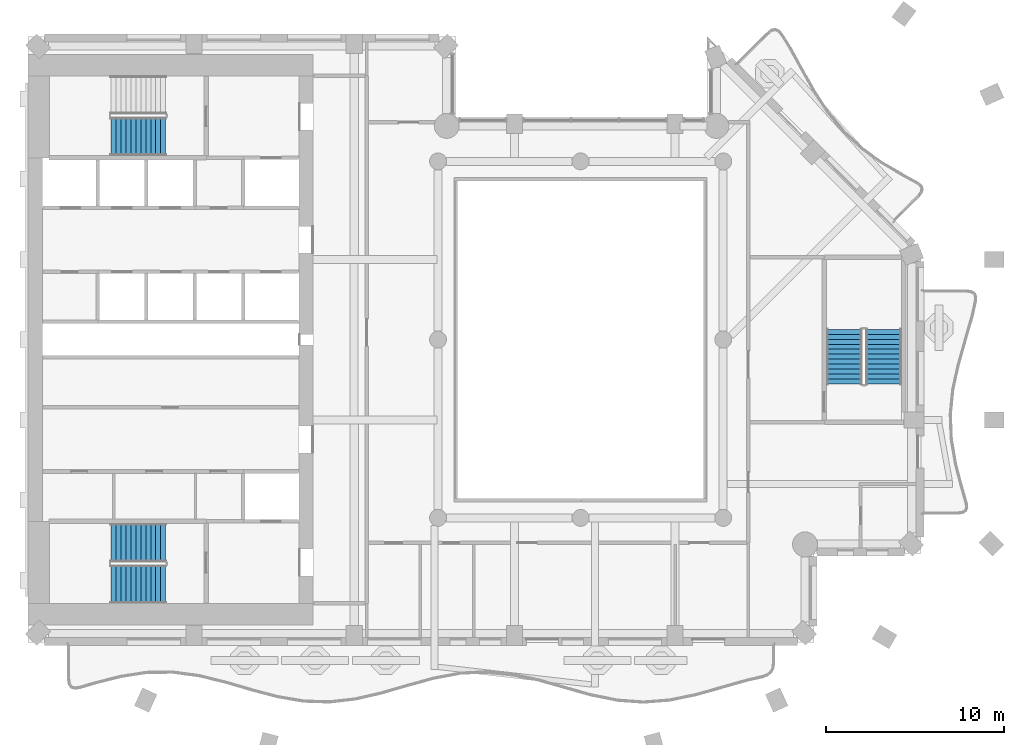
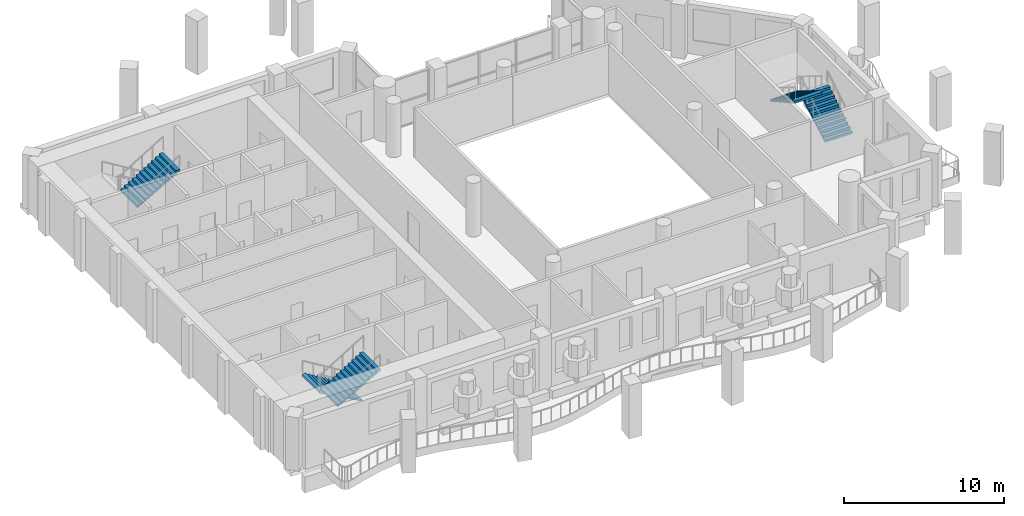
# One storey, part 7 of 14: 5 stair flights, 3 elements without a shape of their own.
"""IFC4 building model written with IfcOpenShell, lengths in metres."""

from ifc_helpers import new_model, si_unit, direction, frame, origin, place, context, subcontext, project, spatial, triangles, material, type_object, element, aggregate, save


model = new_model("IFC4")

# Units and contexts
model_context = context("Model", 3, precision=1e-05, world=origin(), true_north=direction((0.0, 1.0)))
body_context = subcontext(model_context, "Body", "Model", "MODEL_VIEW")
ifc_project = project(units=[si_unit("LENGTHUNIT", "METRE"), si_unit("AREAUNIT", "SQUARE_METRE"), si_unit("VOLUMEUNIT", "CUBIC_METRE"), si_unit("PLANEANGLEUNIT", "RADIAN"), si_unit("MASSUNIT", "GRAM", prefix="KILO")], contexts=[model_context])

# Site, building, storey
site_placement = place(None, origin())
site = spatial("IfcSite", under=ifc_project, at=site_placement, CompositionType="ELEMENT")
building_placement = place(site_placement, origin())
building = spatial("IfcBuilding", under=site, at=building_placement, Name="Cypress Arch Tower", CompositionType="ELEMENT")
storey_placement = place(building_placement, frame((0.0, 0.0, 226.10009765625)))
storey = spatial("IfcBuildingStorey", under=building, at=storey_placement, Name="L50", CompositionType="ELEMENT", Elevation=226.10009765625)

# Stair, stair flights
ifc_material_1 = material(Name="Concrete C40/50", Category="concrete")
stair_type_1 = type_object("IfcStairType", Name="Exit stair ES1708-200", PredefinedType="HALF_TURN_STAIR", material=ifc_material_1)
stair_1_placement = place(storey_placement, origin())
stair_1 = element("IfcStair", 1, at=stair_1_placement, inside=storey, type_object=stair_type_1, Name="L50 Exit stair C", PredefinedType="HALF_TURN_STAIR")
ifc_material_2 = material(Name="Concrete C40/50", Category="concrete")
stair_flight_type_1 = type_object("IfcStairFlightType", Name="Exit stair flight ES1708-200", PredefinedType="STRAIGHT", material=ifc_material_2)
stair_flight_1_placement = place(storey_placement, frame((18.0, -2.5, 0.0), z_axis=(0.0, 0.0, 1.0), x_axis=(0.0, 1.0, 0.0)))
stair_flight_1 = element("IfcStairFlight", 2, at=stair_flight_1_placement, type_object=stair_flight_type_1, Name="C flight 1", NumberOfRisers=12, NumberOfTreads=11, PredefinedType="STRAIGHT", RiserHeight=0.170833333, TreadLength=0.28, context=body_context, shape_type="Tessellation", body=[
    triangles([(0.0, -1.0, 0.0), (0.0, -1.0, 0.1708984375), (0.280029296875, -1.0, 0.1708984375), (0.280029296875, -1.0, 0.341552734375), (0.56005859375, -1.0, 0.341552734375), (0.56005859375, -1.0, 0.512451171875), (0.840087890625, -1.0, 0.512451171875), (0.840087890625, -1.0, 0.683349609375), (1.1201171875, -1.0, 0.683349609375), (1.1201171875, -1.0, 0.854248046875), (1.39990234375, -1.0, 0.854248046875), (1.39990234375, -1.0, 1.02490234375), (1.679931640625, -1.0, 1.02490234375), (1.679931640625, -1.0, 1.19580078125), (1.9599609375, -1.0, 1.19580078125), (1.9599609375, -1.0, 1.36669921875), (2.239990234375, -1.0, 1.36669921875), (2.239990234375, -1.0, 1.53759765625), (2.52001953125, -1.0, 1.53759765625), (2.52001953125, -1.0, 1.708251953125), (2.800048828125, -1.0, 1.708251953125), (2.800048828125, -1.0, 1.879150390625), (3.080078125, -1.0, 1.879150390625), (3.080078125, -1.0, 1.70361328125), (3.080078125, 1.0, 1.70361328125), (3.080078125, 1.0, 1.879150390625), (2.800048828125, 1.0, 1.879150390625), (2.800048828125, 1.0, 1.708251953125), (2.52001953125, 1.0, 1.708251953125), (2.52001953125, 1.0, 1.53759765625), (2.239990234375, 1.0, 1.53759765625), (2.239990234375, 1.0, 1.36669921875), (1.9599609375, 1.0, 1.36669921875), (1.9599609375, 1.0, 1.19580078125), (1.679931640625, 1.0, 1.19580078125), (1.679931640625, 1.0, 1.02490234375), (1.39990234375, 1.0, 1.02490234375), (1.39990234375, 1.0, 0.854248046875), (1.1201171875, 1.0, 0.854248046875), (1.1201171875, 1.0, 0.683349609375), (0.840087890625, 1.0, 0.683349609375), (0.840087890625, 1.0, 0.512451171875), (0.56005859375, 1.0, 0.512451171875), (0.56005859375, 1.0, 0.341552734375), (0.280029296875, 1.0, 0.341552734375), (0.280029296875, 1.0, 0.1708984375), (0.0, 1.0, 0.1708984375), (0.0, 1.0, 0.0), (3.080078125, 0.0, 1.879150390625), (3.080078125, 0.0, 1.70361328125), (2.800048828125, 0.0, 1.879150390625), (2.800048828125, 0.0, 1.708251953125), (2.52001953125, 0.0, 1.708251953125), (2.52001953125, 0.0, 1.53759765625), (2.239990234375, 0.0, 1.53759765625), (2.239990234375, 0.0, 1.36669921875), (1.9599609375, 0.0, 1.36669921875), (1.9599609375, 0.0, 1.19580078125), (1.679931640625, 0.0, 1.19580078125), (1.679931640625, 0.0, 1.02490234375), (1.39990234375, 0.0, 1.02490234375), (1.39990234375, 0.0, 0.854248046875), (1.1201171875, 0.0, 0.854248046875), (1.1201171875, 0.0, 0.683349609375), (0.840087890625, 0.0, 0.683349609375), (0.840087890625, 0.0, 0.512451171875), (0.56005859375, 0.0, 0.512451171875), (0.56005859375, 0.0, 0.341552734375), (0.280029296875, 0.0, 0.341552734375), (0.280029296875, 0.0, 0.1708984375), (0.0, 0.0, 0.1708984375), (0.0, 0.0, 0.0)], [[24, 23, 22], [11, 10, 9], [19, 18, 17], [17, 16, 15], [15, 14, 13], [9, 8, 7], [7, 6, 5], [3, 2, 1], [21, 20, 19], [13, 12, 11], [5, 4, 3], [24, 22, 21], [24, 21, 19], [24, 19, 17], [24, 17, 15], [24, 15, 13], [24, 13, 11], [24, 11, 9], [24, 9, 7], [24, 7, 5], [1, 24, 5], [5, 3, 1], [25, 27, 26], [38, 40, 39], [30, 32, 31], [32, 34, 33], [34, 36, 35], [40, 42, 41], [42, 44, 43], [46, 48, 47], [28, 30, 29], [36, 38, 37], [44, 46, 45], [25, 28, 27], [25, 30, 28], [25, 32, 30], [25, 34, 32], [25, 36, 34], [25, 38, 36], [25, 40, 38], [25, 42, 40], [25, 44, 42], [48, 44, 25], [44, 48, 46], [50, 49, 23], [50, 23, 24], [25, 26, 49], [25, 49, 50], [49, 51, 22], [49, 22, 23], [26, 27, 51], [26, 51, 49], [51, 52, 21], [51, 21, 22], [27, 28, 52], [27, 52, 51], [52, 53, 20], [52, 20, 21], [28, 29, 53], [28, 53, 52], [53, 54, 19], [53, 19, 20], [29, 30, 54], [29, 54, 53], [54, 55, 18], [54, 18, 19], [30, 31, 55], [30, 55, 54], [55, 56, 17], [55, 17, 18], [31, 32, 56], [31, 56, 55], [56, 57, 16], [56, 16, 17], [32, 33, 57], [32, 57, 56], [57, 58, 15], [57, 15, 16], [33, 34, 58], [33, 58, 57], [58, 59, 14], [58, 14, 15], [34, 35, 59], [34, 59, 58], [59, 60, 13], [59, 13, 14], [35, 36, 60], [35, 60, 59], [60, 61, 12], [60, 12, 13], [36, 37, 61], [36, 61, 60], [61, 62, 11], [61, 11, 12], [37, 38, 62], [37, 62, 61], [62, 63, 10], [62, 10, 11], [38, 39, 63], [38, 63, 62], [63, 64, 9], [63, 9, 10], [39, 40, 64], [39, 64, 63], [64, 65, 8], [64, 8, 9], [40, 41, 65], [40, 65, 64], [65, 66, 7], [65, 7, 8], [41, 42, 66], [41, 66, 65], [66, 67, 6], [66, 6, 7], [42, 43, 67], [42, 67, 66], [67, 68, 5], [67, 5, 6], [43, 44, 68], [43, 68, 67], [68, 69, 4], [68, 4, 5], [44, 45, 69], [44, 69, 68], [69, 70, 3], [69, 3, 4], [45, 46, 70], [45, 70, 69], [70, 71, 2], [70, 2, 3], [46, 47, 71], [46, 71, 70], [71, 72, 1], [71, 1, 2], [47, 48, 72], [47, 72, 71], [72, 50, 24], [72, 24, 1], [48, 25, 50], [48, 50, 72]], closed=True),
])
stair_flight_2_placement = place(storey_placement, frame((15.800048828125, 0.580078125, 2.0498046875), z_axis=(0.0, 0.0, 1.0), x_axis=(0.0, -1.0, 0.0)))
stair_flight_2 = element("IfcStairFlight", 3, at=stair_flight_2_placement, type_object=stair_flight_type_1, Name="C flight 2", NumberOfRisers=12, NumberOfTreads=11, PredefinedType="STRAIGHT", RiserHeight=0.170833333, TreadLength=0.28, context=body_context, shape_type="Tessellation", body=[
    triangles([(0.0, -1.0, 0.0), (0.0, -1.0, 0.1708984375), (0.280029296875, -1.0, 0.1708984375), (0.280029296875, -1.0, 0.341552734375), (0.56005859375, -1.0, 0.341552734375), (0.56005859375, -1.0, 0.512451171875), (0.840087890625, -1.0, 0.512451171875), (0.840087890625, -1.0, 0.683349609375), (1.1201171875, -1.0, 0.683349609375), (1.1201171875, -1.0, 0.854248046875), (1.39990234375, -1.0, 0.854248046875), (1.39990234375, -1.0, 1.02490234375), (1.679931640625, -1.0, 1.02490234375), (1.679931640625, -1.0, 1.19580078125), (1.9599609375, -1.0, 1.19580078125), (1.9599609375, -1.0, 1.36669921875), (2.239990234375, -1.0, 1.36669921875), (2.239990234375, -1.0, 1.53759765625), (2.52001953125, -1.0, 1.53759765625), (2.52001953125, -1.0, 1.708251953125), (2.800048828125, -1.0, 1.708251953125), (2.800048828125, -1.0, 1.879150390625), (3.080078125, -1.0, 1.879150390625), (3.080078125, -1.0, 1.70361328125), (3.080078125, 1.0, 1.70361328125), (3.080078125, 1.0, 1.879150390625), (2.800048828125, 1.0, 1.879150390625), (2.800048828125, 1.0, 1.708251953125), (2.52001953125, 1.0, 1.708251953125), (2.52001953125, 1.0, 1.53759765625), (2.239990234375, 1.0, 1.53759765625), (2.239990234375, 1.0, 1.36669921875), (1.9599609375, 1.0, 1.36669921875), (1.9599609375, 1.0, 1.19580078125), (1.679931640625, 1.0, 1.19580078125), (1.679931640625, 1.0, 1.02490234375), (1.39990234375, 1.0, 1.02490234375), (1.39990234375, 1.0, 0.854248046875), (1.1201171875, 1.0, 0.854248046875), (1.1201171875, 1.0, 0.683349609375), (0.840087890625, 1.0, 0.683349609375), (0.840087890625, 1.0, 0.512451171875), (0.56005859375, 1.0, 0.512451171875), (0.56005859375, 1.0, 0.341552734375), (0.280029296875, 1.0, 0.341552734375), (0.280029296875, 1.0, 0.1708984375), (0.0, 1.0, 0.1708984375), (0.0, 1.0, 0.0), (3.080078125, 0.0, 1.879150390625), (3.080078125, 0.0, 1.70361328125), (2.800048828125, 0.0, 1.879150390625), (2.800048828125, 0.0, 1.708251953125), (2.52001953125, 0.0, 1.708251953125), (2.52001953125, 0.0, 1.53759765625), (2.239990234375, 0.0, 1.53759765625), (2.239990234375, 0.0, 1.36669921875), (1.9599609375, 0.0, 1.36669921875), (1.9599609375, 0.0, 1.19580078125), (1.679931640625, 0.0, 1.19580078125), (1.679931640625, 0.0, 1.02490234375), (1.39990234375, 0.0, 1.02490234375), (1.39990234375, 0.0, 0.854248046875), (1.1201171875, 0.0, 0.854248046875), (1.1201171875, 0.0, 0.683349609375), (0.840087890625, 0.0, 0.683349609375), (0.840087890625, 0.0, 0.512451171875), (0.56005859375, 0.0, 0.512451171875), (0.56005859375, 0.0, 0.341552734375), (0.280029296875, 0.0, 0.341552734375), (0.280029296875, 0.0, 0.1708984375), (0.0, 0.0, 0.1708984375), (0.0, 0.0, 0.0)], [[24, 23, 22], [11, 10, 9], [19, 18, 17], [17, 16, 15], [15, 14, 13], [9, 8, 7], [7, 6, 5], [3, 2, 1], [21, 20, 19], [13, 12, 11], [5, 4, 3], [24, 22, 21], [24, 21, 19], [24, 19, 17], [24, 17, 15], [24, 15, 13], [24, 13, 11], [24, 11, 9], [24, 9, 7], [24, 7, 5], [1, 24, 5], [5, 3, 1], [25, 27, 26], [38, 40, 39], [30, 32, 31], [32, 34, 33], [34, 36, 35], [40, 42, 41], [42, 44, 43], [46, 48, 47], [28, 30, 29], [36, 38, 37], [44, 46, 45], [25, 28, 27], [25, 30, 28], [25, 32, 30], [25, 34, 32], [25, 36, 34], [25, 38, 36], [25, 40, 38], [25, 42, 40], [25, 44, 42], [48, 44, 25], [44, 48, 46], [50, 49, 23], [50, 23, 24], [25, 26, 49], [25, 49, 50], [49, 51, 22], [49, 22, 23], [26, 27, 51], [26, 51, 49], [51, 52, 21], [51, 21, 22], [27, 28, 52], [27, 52, 51], [52, 53, 20], [52, 20, 21], [28, 29, 53], [28, 53, 52], [53, 54, 19], [53, 19, 20], [29, 30, 54], [29, 54, 53], [54, 55, 18], [54, 18, 19], [30, 31, 55], [30, 55, 54], [55, 56, 17], [55, 17, 18], [31, 32, 56], [31, 56, 55], [56, 57, 16], [56, 16, 17], [32, 33, 57], [32, 57, 56], [57, 58, 15], [57, 15, 16], [33, 34, 58], [33, 58, 57], [58, 59, 14], [58, 14, 15], [34, 35, 59], [34, 59, 58], [59, 60, 13], [59, 13, 14], [35, 36, 60], [35, 60, 59], [60, 61, 12], [60, 12, 13], [36, 37, 61], [36, 61, 60], [61, 62, 11], [61, 11, 12], [37, 38, 62], [37, 62, 61], [62, 63, 10], [62, 10, 11], [38, 39, 63], [38, 63, 62], [63, 64, 9], [63, 9, 10], [39, 40, 64], [39, 64, 63], [64, 65, 8], [64, 8, 9], [40, 41, 65], [40, 65, 64], [65, 66, 7], [65, 7, 8], [41, 42, 66], [41, 66, 65], [66, 67, 6], [66, 6, 7], [42, 43, 67], [42, 67, 66], [67, 68, 5], [67, 5, 6], [43, 44, 68], [43, 68, 67], [68, 69, 4], [68, 4, 5], [44, 45, 69], [44, 69, 68], [69, 70, 3], [69, 3, 4], [45, 46, 70], [45, 70, 69], [70, 71, 2], [70, 2, 3], [46, 47, 71], [46, 71, 70], [71, 72, 1], [71, 1, 2], [47, 48, 72], [47, 72, 71], [72, 50, 24], [72, 24, 1], [48, 25, 50], [48, 50, 72]], closed=True),
])
aggregate(stair_1, [stair_flight_1, stair_flight_2])

ifc_material_3 = material(Name="Concrete C40/50", Category="concrete")
stair_type_2 = type_object("IfcStairType", Name="Exit stair ES1708-215", PredefinedType="HALF_TURN_STAIR", material=ifc_material_3)
stair_2_placement = place(storey_placement, origin())
stair_2 = element("IfcStair", 4, at=stair_2_placement, inside=storey, type_object=stair_type_2, Name="L50 Exit stair A", PredefinedType="HALF_TURN_STAIR")
ifc_material_4 = material(Name="Concrete C40/50", Category="concrete")
stair_flight_type_2 = type_object("IfcStairFlightType", Name="Exit stair flight ES1708-215", PredefinedType="STRAIGHT", material=ifc_material_4)
stair_flight_3_placement = place(storey_placement, frame((-22.27490234375, -11.39990234375, 0.0), z_axis=(0.0, 0.0, 1.0), x_axis=(-1.0, 0.0, 0.0)))
stair_flight_3 = element("IfcStairFlight", 5, at=stair_flight_3_placement, type_object=stair_flight_type_2, Name="A flight 1", NumberOfRisers=12, NumberOfTreads=11, PredefinedType="STRAIGHT", RiserHeight=0.170833333, TreadLength=0.28, context=body_context, shape_type="Tessellation", body=[
    triangles([(0.0, -1.074951171875, 0.0), (0.000244140625, -1.074951171875, 0.01904296875), (0.000244140625, -1.074951171875, 0.0380859375), (0.00048828125, -1.074951171875, 0.056884765625), (0.00048828125, -1.074951171875, 0.075927734375), (0.00048828125, -1.074951171875, 0.094970703125), (0.00048828125, -1.074951171875, 0.114013671875), (0.000244140625, -1.074951171875, 0.1328125), (0.000244140625, -1.074951171875, 0.15185546875), (0.0, -1.074951171875, 0.1708984375), (0.280029296875, -1.074951171875, 0.1708984375), (0.280029296875, -1.074951171875, 0.341552734375), (0.56005859375, -1.074951171875, 0.341552734375), (0.56005859375, -1.074951171875, 0.512451171875), (0.840087890625, -1.074951171875, 0.512451171875), (0.840087890625, -1.074951171875, 0.683349609375), (1.1201171875, -1.074951171875, 0.683349609375), (1.1201171875, -1.074951171875, 0.854248046875), (1.39990234375, -1.074951171875, 0.854248046875), (1.39990234375, -1.074951171875, 1.02490234375), (1.679931640625, -1.074951171875, 1.02490234375), (1.679931640625, -1.074951171875, 1.19580078125), (1.9599609375, -1.074951171875, 1.19580078125), (1.9599609375, -1.074951171875, 1.36669921875), (2.239990234375, -1.074951171875, 1.36669921875), (2.239990234375, -1.074951171875, 1.53759765625), (2.52001953125, -1.074951171875, 1.53759765625), (2.52001953125, -1.074951171875, 1.708251953125), (2.800048828125, -1.074951171875, 1.708251953125), (2.800048828125, -1.074951171875, 1.879150390625), (3.080078125, -1.074951171875, 1.879150390625), (3.079833984375, -1.074951171875, 1.859619140625), (3.079833984375, -1.074951171875, 1.840087890625), (3.07958984375, -1.074951171875, 1.820556640625), (3.07958984375, -1.074951171875, 1.801025390625), (3.07958984375, -1.074951171875, 1.78173828125), (3.07958984375, -1.074951171875, 1.76220703125), (3.079833984375, -1.074951171875, 1.74267578125), (3.079833984375, -1.074951171875, 1.72314453125), (3.080078125, -1.074951171875, 1.70361328125), (3.080078125, 1.074951171875, 1.70361328125), (3.079833984375, 1.074951171875, 1.72314453125), (3.079833984375, 1.074951171875, 1.74267578125), (3.07958984375, 1.074951171875, 1.76220703125), (3.07958984375, 1.074951171875, 1.78173828125), (3.07958984375, 1.074951171875, 1.801025390625), (3.07958984375, 1.074951171875, 1.820556640625), (3.079833984375, 1.074951171875, 1.840087890625), (3.079833984375, 1.074951171875, 1.859619140625), (3.080078125, 1.074951171875, 1.879150390625), (2.800048828125, 1.074951171875, 1.879150390625), (2.800048828125, 1.074951171875, 1.708251953125), (2.52001953125, 1.074951171875, 1.708251953125), (2.52001953125, 1.074951171875, 1.53759765625), (2.239990234375, 1.074951171875, 1.53759765625), (2.239990234375, 1.074951171875, 1.36669921875), (1.9599609375, 1.074951171875, 1.36669921875), (1.9599609375, 1.074951171875, 1.19580078125), (1.679931640625, 1.074951171875, 1.19580078125), (1.679931640625, 1.074951171875, 1.02490234375), (1.39990234375, 1.074951171875, 1.02490234375), (1.39990234375, 1.074951171875, 0.854248046875), (1.1201171875, 1.074951171875, 0.854248046875), (1.1201171875, 1.074951171875, 0.683349609375), (0.840087890625, 1.074951171875, 0.683349609375), (0.840087890625, 1.074951171875, 0.512451171875), (0.56005859375, 1.074951171875, 0.512451171875), (0.56005859375, 1.074951171875, 0.341552734375), (0.280029296875, 1.074951171875, 0.341552734375), (0.280029296875, 1.074951171875, 0.1708984375), (0.0, 1.074951171875, 0.1708984375), (0.000244140625, 1.074951171875, 0.15185546875), (0.000244140625, 1.074951171875, 0.1328125), (0.00048828125, 1.074951171875, 0.114013671875), (0.00048828125, 1.074951171875, 0.094970703125), (0.00048828125, 1.074951171875, 0.075927734375), (0.00048828125, 1.074951171875, 0.056884765625), (0.000244140625, 1.074951171875, 0.0380859375), (0.000244140625, 1.074951171875, 0.01904296875), (0.0, 1.074951171875, 0.0)], [[40, 39, 30], [39, 38, 30], [38, 37, 30], [37, 36, 30], [36, 35, 30], [35, 34, 30], [34, 33, 30], [33, 32, 30], [32, 31, 30], [19, 18, 17], [27, 26, 25], [25, 24, 23], [23, 22, 21], [17, 16, 15], [15, 14, 13], [10, 9, 11], [9, 8, 11], [8, 7, 11], [7, 6, 11], [6, 5, 11], [5, 4, 11], [4, 3, 11], [3, 2, 11], [2, 1, 11], [29, 28, 27], [21, 20, 19], [13, 12, 11], [40, 30, 29], [40, 29, 27], [40, 27, 25], [40, 25, 23], [40, 23, 21], [40, 21, 19], [40, 19, 17], [40, 17, 15], [40, 15, 13], [1, 40, 13], [13, 11, 1], [41, 51, 42], [42, 51, 43], [43, 51, 44], [44, 51, 45], [45, 51, 46], [46, 51, 47], [47, 51, 48], [48, 51, 49], [49, 51, 50], [62, 64, 63], [54, 56, 55], [56, 58, 57], [58, 60, 59], [64, 66, 65], [66, 68, 67], [71, 70, 72], [72, 70, 73], [73, 70, 74], [74, 70, 75], [75, 70, 76], [76, 70, 77], [77, 70, 78], [78, 70, 79], [79, 70, 80], [52, 54, 53], [60, 62, 61], [68, 70, 69], [41, 52, 51], [41, 54, 52], [41, 56, 54], [41, 58, 56], [41, 60, 58], [41, 62, 60], [41, 64, 62], [41, 66, 64], [41, 68, 66], [80, 68, 41], [68, 80, 70], [41, 42, 39], [41, 39, 40], [42, 43, 38], [42, 38, 39], [43, 44, 37], [43, 37, 38], [44, 45, 36], [44, 36, 37], [45, 46, 35], [45, 35, 36], [46, 47, 34], [46, 34, 35], [47, 48, 33], [47, 33, 34], [48, 49, 32], [48, 32, 33], [49, 50, 31], [49, 31, 32], [50, 51, 30], [50, 30, 31], [51, 52, 29], [51, 29, 30], [52, 53, 28], [52, 28, 29], [53, 54, 27], [53, 27, 28], [54, 55, 26], [54, 26, 27], [55, 56, 25], [55, 25, 26], [56, 57, 24], [56, 24, 25], [57, 58, 23], [57, 23, 24], [58, 59, 22], [58, 22, 23], [59, 60, 21], [59, 21, 22], [60, 61, 20], [60, 20, 21], [61, 62, 19], [61, 19, 20], [62, 63, 18], [62, 18, 19], [63, 64, 17], [63, 17, 18], [64, 65, 16], [64, 16, 17], [65, 66, 15], [65, 15, 16], [66, 67, 14], [66, 14, 15], [67, 68, 13], [67, 13, 14], [68, 69, 12], [68, 12, 13], [69, 70, 11], [69, 11, 12], [70, 71, 10], [70, 10, 11], [71, 72, 9], [71, 9, 10], [72, 73, 8], [72, 8, 9], [73, 74, 7], [73, 7, 8], [74, 75, 6], [74, 6, 7], [75, 76, 5], [75, 5, 6], [76, 77, 4], [76, 4, 5], [77, 78, 3], [77, 3, 4], [78, 79, 2], [78, 2, 3], [79, 80, 1], [79, 1, 2], [80, 41, 40], [80, 40, 1]], closed=True),
])
stair_flight_4_placement = place(storey_placement, frame((-25.35498046875, -13.72509765625, 2.0498046875), z_axis=(0.0, 0.0, 1.0), x_axis=(1.0, 0.0, 0.0)))
stair_flight_4 = element("IfcStairFlight", 6, at=stair_flight_4_placement, type_object=stair_flight_type_2, Name="A flight 2", NumberOfRisers=12, NumberOfTreads=11, PredefinedType="STRAIGHT", RiserHeight=0.170833333, TreadLength=0.28, context=body_context, shape_type="Tessellation", body=[
    triangles([(0.0, -1.074951171875, 0.0), (0.000244140625, -1.074951171875, 0.01904296875), (0.000244140625, -1.074951171875, 0.0380859375), (0.00048828125, -1.074951171875, 0.056884765625), (0.00048828125, -1.074951171875, 0.075927734375), (0.00048828125, -1.074951171875, 0.094970703125), (0.00048828125, -1.074951171875, 0.114013671875), (0.000244140625, -1.074951171875, 0.1328125), (0.000244140625, -1.074951171875, 0.15185546875), (0.0, -1.074951171875, 0.1708984375), (0.280029296875, -1.074951171875, 0.1708984375), (0.280029296875, -1.074951171875, 0.341552734375), (0.56005859375, -1.074951171875, 0.341552734375), (0.56005859375, -1.074951171875, 0.512451171875), (0.840087890625, -1.074951171875, 0.512451171875), (0.840087890625, -1.074951171875, 0.683349609375), (1.1201171875, -1.074951171875, 0.683349609375), (1.1201171875, -1.074951171875, 0.854248046875), (1.39990234375, -1.074951171875, 0.854248046875), (1.39990234375, -1.074951171875, 1.02490234375), (1.679931640625, -1.074951171875, 1.02490234375), (1.679931640625, -1.074951171875, 1.19580078125), (1.9599609375, -1.074951171875, 1.19580078125), (1.9599609375, -1.074951171875, 1.36669921875), (2.239990234375, -1.074951171875, 1.36669921875), (2.239990234375, -1.074951171875, 1.53759765625), (2.52001953125, -1.074951171875, 1.53759765625), (2.52001953125, -1.074951171875, 1.708251953125), (2.800048828125, -1.074951171875, 1.708251953125), (2.800048828125, -1.074951171875, 1.879150390625), (3.080078125, -1.074951171875, 1.879150390625), (3.079833984375, -1.074951171875, 1.859619140625), (3.079833984375, -1.074951171875, 1.840087890625), (3.07958984375, -1.074951171875, 1.820556640625), (3.07958984375, -1.074951171875, 1.801025390625), (3.07958984375, -1.074951171875, 1.78173828125), (3.07958984375, -1.074951171875, 1.76220703125), (3.079833984375, -1.074951171875, 1.74267578125), (3.079833984375, -1.074951171875, 1.72314453125), (3.080078125, -1.074951171875, 1.70361328125), (3.080078125, 1.074951171875, 1.70361328125), (3.079833984375, 1.074951171875, 1.72314453125), (3.079833984375, 1.074951171875, 1.74267578125), (3.07958984375, 1.074951171875, 1.76220703125), (3.07958984375, 1.074951171875, 1.78173828125), (3.07958984375, 1.074951171875, 1.801025390625), (3.07958984375, 1.074951171875, 1.820556640625), (3.079833984375, 1.074951171875, 1.840087890625), (3.079833984375, 1.074951171875, 1.859619140625), (3.080078125, 1.074951171875, 1.879150390625), (2.800048828125, 1.074951171875, 1.879150390625), (2.800048828125, 1.074951171875, 1.708251953125), (2.52001953125, 1.074951171875, 1.708251953125), (2.52001953125, 1.074951171875, 1.53759765625), (2.239990234375, 1.074951171875, 1.53759765625), (2.239990234375, 1.074951171875, 1.36669921875), (1.9599609375, 1.074951171875, 1.36669921875), (1.9599609375, 1.074951171875, 1.19580078125), (1.679931640625, 1.074951171875, 1.19580078125), (1.679931640625, 1.074951171875, 1.02490234375), (1.39990234375, 1.074951171875, 1.02490234375), (1.39990234375, 1.074951171875, 0.854248046875), (1.1201171875, 1.074951171875, 0.854248046875), (1.1201171875, 1.074951171875, 0.683349609375), (0.840087890625, 1.074951171875, 0.683349609375), (0.840087890625, 1.074951171875, 0.512451171875), (0.56005859375, 1.074951171875, 0.512451171875), (0.56005859375, 1.074951171875, 0.341552734375), (0.280029296875, 1.074951171875, 0.341552734375), (0.280029296875, 1.074951171875, 0.1708984375), (0.0, 1.074951171875, 0.1708984375), (0.000244140625, 1.074951171875, 0.15185546875), (0.000244140625, 1.074951171875, 0.1328125), (0.00048828125, 1.074951171875, 0.114013671875), (0.00048828125, 1.074951171875, 0.094970703125), (0.00048828125, 1.074951171875, 0.075927734375), (0.00048828125, 1.074951171875, 0.056884765625), (0.000244140625, 1.074951171875, 0.0380859375), (0.000244140625, 1.074951171875, 0.01904296875), (0.0, 1.074951171875, 0.0)], [[40, 39, 30], [39, 38, 30], [38, 37, 30], [37, 36, 30], [36, 35, 30], [35, 34, 30], [34, 33, 30], [33, 32, 30], [32, 31, 30], [19, 18, 17], [27, 26, 25], [25, 24, 23], [23, 22, 21], [17, 16, 15], [15, 14, 13], [10, 9, 11], [9, 8, 11], [8, 7, 11], [7, 6, 11], [6, 5, 11], [5, 4, 11], [4, 3, 11], [3, 2, 11], [2, 1, 11], [29, 28, 27], [21, 20, 19], [13, 12, 11], [40, 30, 29], [40, 29, 27], [40, 27, 25], [40, 25, 23], [40, 23, 21], [40, 21, 19], [40, 19, 17], [40, 17, 15], [40, 15, 13], [1, 40, 13], [13, 11, 1], [41, 51, 42], [42, 51, 43], [43, 51, 44], [44, 51, 45], [45, 51, 46], [46, 51, 47], [47, 51, 48], [48, 51, 49], [49, 51, 50], [62, 64, 63], [54, 56, 55], [56, 58, 57], [58, 60, 59], [64, 66, 65], [66, 68, 67], [71, 70, 72], [72, 70, 73], [73, 70, 74], [74, 70, 75], [75, 70, 76], [76, 70, 77], [77, 70, 78], [78, 70, 79], [79, 70, 80], [52, 54, 53], [60, 62, 61], [68, 70, 69], [41, 52, 51], [41, 54, 52], [41, 56, 54], [41, 58, 56], [41, 60, 58], [41, 62, 60], [41, 64, 62], [41, 66, 64], [41, 68, 66], [80, 68, 41], [68, 80, 70], [41, 42, 39], [41, 39, 40], [42, 43, 38], [42, 38, 39], [43, 44, 37], [43, 37, 38], [44, 45, 36], [44, 36, 37], [45, 46, 35], [45, 35, 36], [46, 47, 34], [46, 34, 35], [47, 48, 33], [47, 33, 34], [48, 49, 32], [48, 32, 33], [49, 50, 31], [49, 31, 32], [50, 51, 30], [50, 30, 31], [51, 52, 29], [51, 29, 30], [52, 53, 28], [52, 28, 29], [53, 54, 27], [53, 27, 28], [54, 55, 26], [54, 26, 27], [55, 56, 25], [55, 25, 26], [56, 57, 24], [56, 24, 25], [57, 58, 23], [57, 23, 24], [58, 59, 22], [58, 22, 23], [59, 60, 21], [59, 21, 22], [60, 61, 20], [60, 20, 21], [61, 62, 19], [61, 19, 20], [62, 63, 18], [62, 18, 19], [63, 64, 17], [63, 17, 18], [64, 65, 16], [64, 16, 17], [65, 66, 15], [65, 15, 16], [66, 67, 14], [66, 14, 15], [67, 68, 13], [67, 13, 14], [68, 69, 12], [68, 12, 13], [69, 70, 11], [69, 11, 12], [70, 71, 10], [70, 10, 11], [71, 72, 9], [71, 9, 10], [72, 73, 8], [72, 8, 9], [73, 74, 7], [73, 7, 8], [74, 75, 6], [74, 6, 7], [75, 76, 5], [75, 5, 6], [76, 77, 4], [76, 4, 5], [77, 78, 3], [77, 3, 4], [78, 79, 2], [78, 2, 3], [79, 80, 1], [79, 1, 2], [80, 41, 40], [80, 40, 1]], closed=True),
])
aggregate(stair_2, [stair_flight_3, stair_flight_4])

# Stair, stair flight
stair_3_placement = place(storey_placement, origin())
stair_3 = element("IfcStair", 7, at=stair_3_placement, inside=storey, type_object=stair_type_2, Name="L50 Exit stair B", PredefinedType="HALF_TURN_STAIR")
stair_flight_5_placement = place(storey_placement, frame((-25.35498046875, 11.39990234375, 2.0498046875), z_axis=(0.0, 0.0, 1.0), x_axis=(1.0, 0.0, 0.0)))
stair_flight_5 = element("IfcStairFlight", 8, at=stair_flight_5_placement, type_object=stair_flight_type_2, Name="B flight 2", NumberOfRisers=12, NumberOfTreads=11, PredefinedType="STRAIGHT", RiserHeight=0.170833333, TreadLength=0.28, context=body_context, shape_type="Tessellation", body=[
    triangles([(0.0, -1.074951171875, 0.0), (0.000244140625, -1.074951171875, 0.01904296875), (0.000244140625, -1.074951171875, 0.0380859375), (0.00048828125, -1.074951171875, 0.056884765625), (0.00048828125, -1.074951171875, 0.075927734375), (0.00048828125, -1.074951171875, 0.094970703125), (0.00048828125, -1.074951171875, 0.114013671875), (0.000244140625, -1.074951171875, 0.1328125), (0.000244140625, -1.074951171875, 0.15185546875), (0.0, -1.074951171875, 0.1708984375), (0.280029296875, -1.074951171875, 0.1708984375), (0.280029296875, -1.074951171875, 0.341552734375), (0.56005859375, -1.074951171875, 0.341552734375), (0.56005859375, -1.074951171875, 0.512451171875), (0.840087890625, -1.074951171875, 0.512451171875), (0.840087890625, -1.074951171875, 0.683349609375), (1.1201171875, -1.074951171875, 0.683349609375), (1.1201171875, -1.074951171875, 0.854248046875), (1.39990234375, -1.074951171875, 0.854248046875), (1.39990234375, -1.074951171875, 1.02490234375), (1.679931640625, -1.074951171875, 1.02490234375), (1.679931640625, -1.074951171875, 1.19580078125), (1.9599609375, -1.074951171875, 1.19580078125), (1.9599609375, -1.074951171875, 1.36669921875), (2.239990234375, -1.074951171875, 1.36669921875), (2.239990234375, -1.074951171875, 1.53759765625), (2.52001953125, -1.074951171875, 1.53759765625), (2.52001953125, -1.074951171875, 1.708251953125), (2.800048828125, -1.074951171875, 1.708251953125), (2.800048828125, -1.074951171875, 1.879150390625), (3.080078125, -1.074951171875, 1.879150390625), (3.079833984375, -1.074951171875, 1.859619140625), (3.079833984375, -1.074951171875, 1.840087890625), (3.07958984375, -1.074951171875, 1.820556640625), (3.07958984375, -1.074951171875, 1.801025390625), (3.07958984375, -1.074951171875, 1.78173828125), (3.07958984375, -1.074951171875, 1.76220703125), (3.079833984375, -1.074951171875, 1.74267578125), (3.079833984375, -1.074951171875, 1.72314453125), (3.080078125, -1.074951171875, 1.70361328125), (3.080078125, 1.074951171875, 1.70361328125), (3.079833984375, 1.074951171875, 1.72314453125), (3.079833984375, 1.074951171875, 1.74267578125), (3.07958984375, 1.074951171875, 1.76220703125), (3.07958984375, 1.074951171875, 1.78173828125), (3.07958984375, 1.074951171875, 1.801025390625), (3.07958984375, 1.074951171875, 1.820556640625), (3.079833984375, 1.074951171875, 1.840087890625), (3.079833984375, 1.074951171875, 1.859619140625), (3.080078125, 1.074951171875, 1.879150390625), (2.800048828125, 1.074951171875, 1.879150390625), (2.800048828125, 1.074951171875, 1.708251953125), (2.52001953125, 1.074951171875, 1.708251953125), (2.52001953125, 1.074951171875, 1.53759765625), (2.239990234375, 1.074951171875, 1.53759765625), (2.239990234375, 1.074951171875, 1.36669921875), (1.9599609375, 1.074951171875, 1.36669921875), (1.9599609375, 1.074951171875, 1.19580078125), (1.679931640625, 1.074951171875, 1.19580078125), (1.679931640625, 1.074951171875, 1.02490234375), (1.39990234375, 1.074951171875, 1.02490234375), (1.39990234375, 1.074951171875, 0.854248046875), (1.1201171875, 1.074951171875, 0.854248046875), (1.1201171875, 1.074951171875, 0.683349609375), (0.840087890625, 1.074951171875, 0.683349609375), (0.840087890625, 1.074951171875, 0.512451171875), (0.56005859375, 1.074951171875, 0.512451171875), (0.56005859375, 1.074951171875, 0.341552734375), (0.280029296875, 1.074951171875, 0.341552734375), (0.280029296875, 1.074951171875, 0.1708984375), (0.0, 1.074951171875, 0.1708984375), (0.000244140625, 1.074951171875, 0.15185546875), (0.000244140625, 1.074951171875, 0.1328125), (0.00048828125, 1.074951171875, 0.114013671875), (0.00048828125, 1.074951171875, 0.094970703125), (0.00048828125, 1.074951171875, 0.075927734375), (0.00048828125, 1.074951171875, 0.056884765625), (0.000244140625, 1.074951171875, 0.0380859375), (0.000244140625, 1.074951171875, 0.01904296875), (0.0, 1.074951171875, 0.0)], [[40, 39, 30], [39, 38, 30], [38, 37, 30], [37, 36, 30], [36, 35, 30], [35, 34, 30], [34, 33, 30], [33, 32, 30], [32, 31, 30], [19, 18, 17], [27, 26, 25], [25, 24, 23], [23, 22, 21], [17, 16, 15], [15, 14, 13], [10, 9, 11], [9, 8, 11], [8, 7, 11], [7, 6, 11], [6, 5, 11], [5, 4, 11], [4, 3, 11], [3, 2, 11], [2, 1, 11], [29, 28, 27], [21, 20, 19], [13, 12, 11], [40, 30, 29], [40, 29, 27], [40, 27, 25], [40, 25, 23], [40, 23, 21], [40, 21, 19], [40, 19, 17], [40, 17, 15], [40, 15, 13], [1, 40, 13], [13, 11, 1], [41, 51, 42], [42, 51, 43], [43, 51, 44], [44, 51, 45], [45, 51, 46], [46, 51, 47], [47, 51, 48], [48, 51, 49], [49, 51, 50], [62, 64, 63], [54, 56, 55], [56, 58, 57], [58, 60, 59], [64, 66, 65], [66, 68, 67], [71, 70, 72], [72, 70, 73], [73, 70, 74], [74, 70, 75], [75, 70, 76], [76, 70, 77], [77, 70, 78], [78, 70, 79], [79, 70, 80], [52, 54, 53], [60, 62, 61], [68, 70, 69], [41, 52, 51], [41, 54, 52], [41, 56, 54], [41, 58, 56], [41, 60, 58], [41, 62, 60], [41, 64, 62], [41, 66, 64], [41, 68, 66], [80, 68, 41], [68, 80, 70], [41, 42, 39], [41, 39, 40], [42, 43, 38], [42, 38, 39], [43, 44, 37], [43, 37, 38], [44, 45, 36], [44, 36, 37], [45, 46, 35], [45, 35, 36], [46, 47, 34], [46, 34, 35], [47, 48, 33], [47, 33, 34], [48, 49, 32], [48, 32, 33], [49, 50, 31], [49, 31, 32], [50, 51, 30], [50, 30, 31], [51, 52, 29], [51, 29, 30], [52, 53, 28], [52, 28, 29], [53, 54, 27], [53, 27, 28], [54, 55, 26], [54, 26, 27], [55, 56, 25], [55, 25, 26], [56, 57, 24], [56, 24, 25], [57, 58, 23], [57, 23, 24], [58, 59, 22], [58, 22, 23], [59, 60, 21], [59, 21, 22], [60, 61, 20], [60, 20, 21], [61, 62, 19], [61, 19, 20], [62, 63, 18], [62, 18, 19], [63, 64, 17], [63, 17, 18], [64, 65, 16], [64, 16, 17], [65, 66, 15], [65, 15, 16], [66, 67, 14], [66, 14, 15], [67, 68, 13], [67, 13, 14], [68, 69, 12], [68, 12, 13], [69, 70, 11], [69, 11, 12], [70, 71, 10], [70, 10, 11], [71, 72, 9], [71, 9, 10], [72, 73, 8], [72, 8, 9], [73, 74, 7], [73, 7, 8], [74, 75, 6], [74, 6, 7], [75, 76, 5], [75, 5, 6], [76, 77, 4], [76, 4, 5], [77, 78, 3], [77, 3, 4], [78, 79, 2], [78, 2, 3], [79, 80, 1], [79, 1, 2], [80, 41, 40], [80, 40, 1]], closed=True),
])
aggregate(stair_3, [stair_flight_5])

save(model, "model.ifc")
